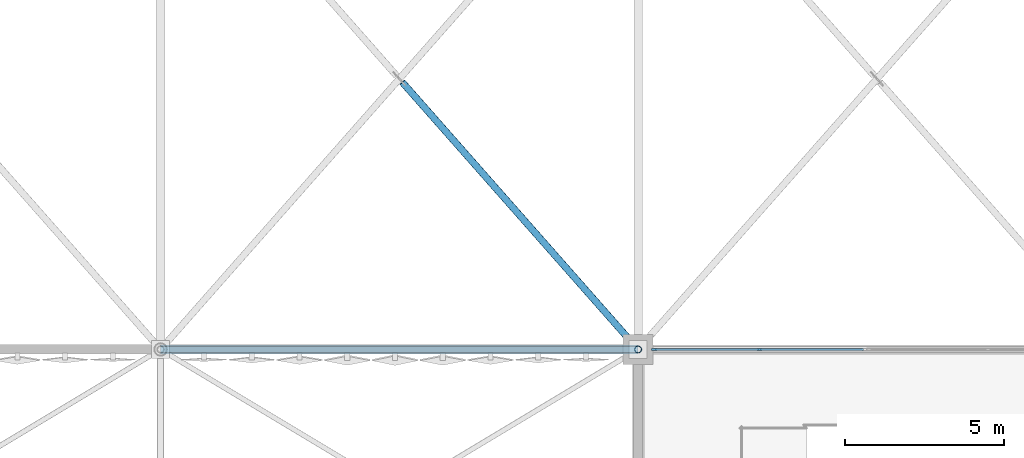
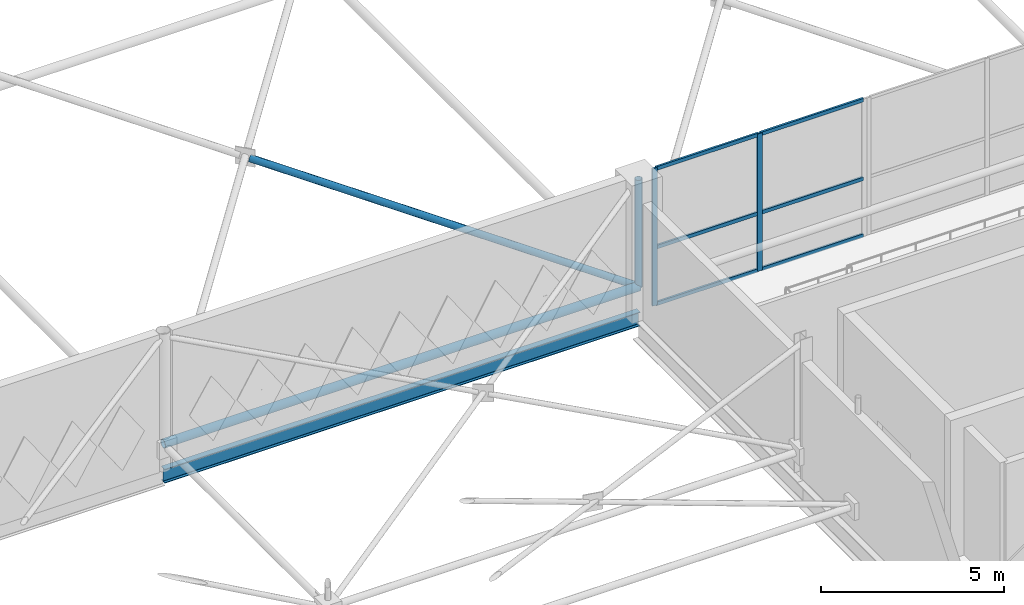
# One storey, part 44 of 224: 11 members, 1 beam, 1 element without a shape of its own.
"""IFC4 building model written with IfcOpenShell, lengths in metres."""

import ifcopenshell
import ifcopenshell.guid

model = None  # the IFC model being written
_history = None  # IfcOwnerHistory: only IFC2X3 demands one
_inside = {}  # id of a spatial element -> (the spatial element, [elements in it])
_under = {}  # id of a project, library or spatial element -> (it, [spatial elements below it])
_declared = {}  # id of a project -> (the project, [libraries it declares])
_typed = {}  # id of a type object -> (the type object, [elements of that type])
_made_of = {}  # id of a material, layer set ... -> (it, [elements and type objects made of it])


def new_model(schema):
    """Start an empty IFC model of exactly this schema.

    Asked for "IFC4X3", IfcOpenShell would pick the latest addendum, in which some entities
    have other attributes; the version numbers below select the first issue.
    IFC2X3 requires an IfcOwnerHistory on every rooted entity: one is made here for all.
    """
    global model, _history
    if schema == "IFC4X3":
        model = ifcopenshell.file(schema_version=(4, 3, 0, 0))
    else:
        model = ifcopenshell.file(schema=schema)
    _inside.clear()
    _under.clear()
    _declared.clear()
    _typed.clear()
    _made_of.clear()
    _history = None
    if model.schema == "IFC2X3":
        org = make("IfcOrganization", Name="unknown")
        user = make(
            "IfcPersonAndOrganization",
            ThePerson=make("IfcPerson", FamilyName="unknown"),
            TheOrganization=org,
        )
        app = make(
            "IfcApplication",
            ApplicationDeveloper=org,
            Version="unknown",
            ApplicationFullName="unknown",
            ApplicationIdentifier="unknown",
        )
        _history = make(
            "IfcOwnerHistory",
            OwningUser=user,
            OwningApplication=app,
            ChangeAction="ADDED",
            CreationDate=0,
        )
    return model


def make(cls, **values):
    """One entity of the class cls with the attributes given. An attribute that is None is left unset."""
    return model.create_entity(
        cls, **{name: value for name, value in values.items() if value is not None}
    )


def rooted(cls, **values):
    """An entity with a GlobalId (a new one), such as an element, a storey or a relation."""
    return make(cls, GlobalId=ifcopenshell.guid.new(), OwnerHistory=_history, **values)


def si_unit(unit_type, name, prefix=None):
    """IfcSIUnit, for example si_unit("LENGTHUNIT", "METRE", prefix="MILLI")."""
    return make("IfcSIUnit", UnitType=unit_type, Prefix=prefix, Name=name)


def assignment(units):
    """IfcUnitAssignment: the units of a project."""
    return None if units is None else make("IfcUnitAssignment", Units=units)


def point(xyz):
    """IfcCartesianPoint."""
    return None if xyz is None else make("IfcCartesianPoint", Coordinates=xyz)


def direction(xyz):
    """IfcDirection."""
    return None if xyz is None else make("IfcDirection", DirectionRatios=xyz)


def frame(location, z_axis=None, x_axis=None):
    """IfcAxis2Placement3D, a coordinate frame: its origin and axes. An axis left out is left unset."""
    return make(
        "IfcAxis2Placement3D",
        Location=point(location),
        Axis=direction(z_axis),
        RefDirection=direction(x_axis),
    )


def frame_2d(location, x_axis=None):
    """IfcAxis2Placement2D, a coordinate frame in the plane: its origin and x axis."""
    return make(
        "IfcAxis2Placement2D", Location=point(location), RefDirection=direction(x_axis)
    )


def origin():
    """The frame at (0, 0, 0) with its axes left unset."""
    return frame((0.0, 0.0, 0.0))


def origin_2d():
    """The frame at (0, 0) in the plane with its x axis left unset."""
    return frame_2d((0.0, 0.0))


def place(relative_to, where):
    """IfcLocalPlacement: puts the frame where relative to a parent placement (None: the world)."""
    return make(
        "IfcLocalPlacement", PlacementRelTo=relative_to, RelativePlacement=where
    )


def context(
    kind, dimensions, precision=None, world=None, true_north=None, identifier=None
):
    """IfcGeometricRepresentationContext, for example the 3D "Model" context."""
    return make(
        "IfcGeometricRepresentationContext",
        ContextIdentifier=identifier,
        ContextType=kind,
        CoordinateSpaceDimension=dimensions,
        Precision=precision,
        WorldCoordinateSystem=world,
        TrueNorth=true_north,
    )


def subcontext(parent, identifier, kind, view, scale=None):
    """IfcGeometricRepresentationSubContext, for example "Body" below "Model"."""
    return make(
        "IfcGeometricRepresentationSubContext",
        ContextIdentifier=identifier,
        ContextType=kind,
        ParentContext=parent,
        TargetScale=scale,
        TargetView=view,
    )


def project(units=None, contexts=None):
    """IfcProject with its units and contexts."""
    return rooted(
        "IfcProject",
        Name="project",
        RepresentationContexts=contexts,
        UnitsInContext=assignment(units),
    )


def spatial(cls, under=None, at=None, **own):
    """A site, building, storey or space (cls), placed at a placement, below another one or the project."""
    s = rooted(cls, ObjectPlacement=at, **own)
    if under is not None:
        _under.setdefault(under.id(), (under, []))[1].append(s)
    return s


def profile(cls, at=None, kind="AREA", **sizes):
    """A parametric profile (cls). Its sizes go by their IFC names, for example OverallWidth=200.0."""
    return make(cls, ProfileType=kind, Position=at, **sizes)


def rectangle(**sizes):
    """IfcRectangleProfileDef."""
    return profile("IfcRectangleProfileDef", **sizes)


def hollow_circle(**sizes):
    """IfcCircleHollowProfileDef."""
    return profile("IfcCircleHollowProfileDef", **sizes)


def i_section(**sizes):
    """IfcIShapeProfileDef."""
    return profile("IfcIShapeProfileDef", **sizes)


def extrude(swept, where, along, depth):
    """IfcExtrudedAreaSolid: the profile swept, set in the frame where, extruded along a direction by depth."""
    return make(
        "IfcExtrudedAreaSolid",
        SweptArea=swept,
        Position=where,
        ExtrudedDirection=direction(along),
        Depth=depth,
    )


def shape(context_of_items, identifier, shape_type, items):
    """IfcShapeRepresentation: the items that make up one representation, for example the "Body"."""
    return make(
        "IfcShapeRepresentation",
        ContextOfItems=context_of_items,
        RepresentationIdentifier=identifier,
        RepresentationType=shape_type,
        Items=items,
    )


def material(Name=None, Category=None):
    """IfcMaterial."""
    return make("IfcMaterial", Name=Name, Category=Category)


def layer(
    of_material, thickness, ventilated=None, Name=None, Category=None, Priority=None
):
    """IfcMaterialLayer: one layer of a wall or slab, of a material (None: an air gap)."""
    return make(
        "IfcMaterialLayer",
        Material=of_material,
        LayerThickness=thickness,
        IsVentilated=ventilated,
        Name=Name,
        Category=Category,
        Priority=Priority,
    )


def layer_set(layers, Name=None):
    """IfcMaterialLayerSet."""
    return make("IfcMaterialLayerSet", MaterialLayers=layers, LayerSetName=Name)


def material_profile(
    of_material, cross_section, Name=None, Category=None, Priority=None
):
    """IfcMaterialProfile: a cross section and its material."""
    return make(
        "IfcMaterialProfile",
        Name=Name,
        Material=of_material,
        Profile=cross_section,
        Priority=Priority,
        Category=Category,
    )


def profile_set(profiles, Name=None, composite=None):
    """IfcMaterialProfileSet."""
    return make(
        "IfcMaterialProfileSet",
        Name=Name,
        MaterialProfiles=profiles,
        CompositeProfile=composite,
    )


def made_of(thing, what):
    """Note that an element or type object is made of a material, layer set ...; save() writes the relation."""
    if what is not None:
        _made_of.setdefault(what.id(), (what, []))[1].append(thing)
    return thing


def type_object(cls, material=None, **own):
    """A type object (cls), such as IfcWallType, which elements share."""
    return made_of(rooted(cls, **own), material)


def element(
    cls,
    number,
    at=None,
    inside=None,
    cuts=None,
    type_object=None,
    material=None,
    context=None,
    identifier="Body",
    shape_type=None,
    held_by="IfcProductDefinitionShape",
    body=None,
    shapes=None,
    **own,
):
    """One element of the class cls, such as IfcWall. Its Tag is "e" and its number.

    at: its placement. inside: the storey or other place that contains it. cuts: it is an
    opening in that element (IfcRelVoidsElement). A single representation is given by context,
    identifier, shape_type and body (its items); several are given by shapes. held_by: the class
    of the entity that holds the representations. save() writes the other relations.
    """
    e = rooted(cls, Tag="e%d" % number, ObjectPlacement=at, **own)
    if body is not None:
        shapes = [shape(context, identifier, shape_type, body)]
    if shapes is not None:
        e.Representation = make(held_by, Representations=shapes)
    if inside is not None:
        _inside.setdefault(inside.id(), (inside, []))[1].append(e)
    if cuts is not None:
        rooted(
            "IfcRelVoidsElement", RelatingBuildingElement=cuts, RelatedOpeningElement=e
        )
    if type_object is not None:
        _typed.setdefault(type_object.id(), (type_object, []))[1].append(e)
    return made_of(e, material)


def aggregate(whole, parts):
    """IfcRelAggregates: a whole, such as a stair, and the parts it consists of."""
    return rooted("IfcRelAggregates", RelatingObject=whole, RelatedObjects=parts)


def save(model, path):
    """Write the relations noted so far, then the file.

    IfcRelAggregates (storeys below a building ...), IfcRelContainedInSpatialStructure (elements
    in a storey), IfcRelDefinesByType, IfcRelAssociatesMaterial and IfcRelDeclares: one each for
    every whole, place, type object, material and project.
    """
    for whole, parts in _under.values():
        aggregate(whole, parts)
    for where, things in _inside.values():
        rooted(
            "IfcRelContainedInSpatialStructure",
            RelatedElements=things,
            RelatingStructure=where,
        )
    for kind, things in _typed.values():
        rooted("IfcRelDefinesByType", RelatedObjects=things, RelatingType=kind)
    for what, things in _made_of.values():
        rooted("IfcRelAssociatesMaterial", RelatedObjects=things, RelatingMaterial=what)
    for by, libraries in _declared.values():
        rooted("IfcRelDeclares", RelatingContext=by, RelatedDefinitions=libraries)
    model.write(path)


model = new_model("IFC4")

# Units and contexts
model_context = context("Model", 3, precision=1e-05, world=origin(), true_north=direction((0.0, 1.0)))
body_context = subcontext(model_context, "Body", "Model", "MODEL_VIEW")
ifc_project = project(units=[si_unit("LENGTHUNIT", "METRE"), si_unit("AREAUNIT", "SQUARE_METRE"), si_unit("VOLUMEUNIT", "CUBIC_METRE"), si_unit("PLANEANGLEUNIT", "RADIAN"), si_unit("MASSUNIT", "GRAM", prefix="KILO")], contexts=[model_context])

# Site, building, storey
site_placement = place(None, origin())
site = spatial("IfcSite", under=ifc_project, at=site_placement, CompositionType="ELEMENT")
building_placement = place(site_placement, origin())
building = spatial("IfcBuilding", under=site, at=building_placement, Name="Qamarlyn Nura Convention Centre", CompositionType="ELEMENT")
storey_placement = place(building_placement, frame((0.0, 0.0, 10.800048828125)))
storey = spatial("IfcBuildingStorey", under=building, at=storey_placement, Name="L02", CompositionType="ELEMENT", Elevation=10.800048828125)

# Beam
ifc_material_1 = material(Name="Steel ASTM A992", Category="steel")
ifc_material_profile_1 = material_profile(ifc_material_1, i_section(OverallWidth=0.193115234375, OverallDepth=0.466064453125, WebThickness=0.011474609375, FlangeThickness=0.01904296875, FilletRadius=0.012939453125, at=origin_2d()), Name="W460X97")
ifc_profile_set_1 = profile_set([ifc_material_profile_1], Name="Steel ASTM A992")
beam_type = type_object("IfcBeamType", Name="BM-SPAN-460", PredefinedType="SPANDREL", material=ifc_profile_set_1)
beam_placement = place(storey_placement, frame((45.0, 18.0, -0.233154296875), z_axis=(1.0, 0.0, 0.0), x_axis=(0.0, 1.0, 0.0)))
element("IfcBeam", 1, at=beam_placement, inside=storey, type_object=beam_type, Name="L02 girder C 4-5", PredefinedType="SPANDREL", context=body_context, shape_type="SweptSolid", body=[
    extrude(i_section(OverallWidth=0.193115234375, OverallDepth=0.466064453125, WebThickness=0.011474609375, FlangeThickness=0.01904296875, FilletRadius=0.012939453125, at=origin_2d()), origin(), (0.0, 0.0, 1.0), 15.0),
])

# Curtain wall, members
ifc_material_2 = material(Name="Double-silver low-E insulated glass", Category="glass")
ifc_layer = layer(ifc_material_2, 0.179931640625, Name="CW-UNIT-17")
ifc_layer_set = layer_set([ifc_layer], Name="Double-silver low-E insulated glass")
curtain_wall_type = type_object("IfcCurtainWallType", Name="CW-UNIT-17", PredefinedType="NOTDEFINED", material=ifc_layer_set)
curtain_wall_placement = place(storey_placement, origin())
curtain_wall = element("IfcCurtainWall", 2, at=curtain_wall_placement, inside=storey, type_object=curtain_wall_type, Name="L02 unitised curtain wall V1-INT-S1-1A", PredefinedType="NOTDEFINED")
ifc_material_3 = material(Name="Champagne-anodised marine aluminium", Category="aluminium")
ifc_material_profile_2 = material_profile(ifc_material_3, rectangle(XDim=0.06494140625, YDim=0.159912109375, at=origin_2d()), Name="ALU MULLION 65x160")
ifc_profile_set_2 = profile_set([ifc_material_profile_2], Name="Champagne-anodised marine aluminium")
member_type_1 = type_object("IfcMemberType", Name="CWM-160", PredefinedType="MULLION", material=ifc_profile_set_2)
member_1_placement = place(storey_placement, frame((60.507568359375, 18.0, 0.0), z_axis=(0.0, 0.0, 1.0), x_axis=(0.0, 1.0, 0.0)))
member_1 = element("IfcMember", 3, at=member_1_placement, type_object=member_type_1, Name="CW17 mullion 1", PredefinedType="MULLION", context=body_context, shape_type="SweptSolid", body=[
    extrude(rectangle(XDim=0.06494140625, YDim=0.159912109375, at=origin_2d()), origin(), (0.0, 0.0, 1.0), 4.579833984375),
])
member_2_placement = place(storey_placement, frame((63.80859375, 18.0, 0.0), z_axis=(0.0, 0.0, 1.0), x_axis=(0.0, 1.0, 0.0)))
member_2 = element("IfcMember", 4, at=member_2_placement, type_object=member_type_1, Name="CW17 mullion 2", PredefinedType="MULLION", context=body_context, shape_type="SweptSolid", body=[
    extrude(rectangle(XDim=0.06494140625, YDim=0.159912109375, at=origin_2d()), origin(), (0.0, 0.0, 1.0), 4.579833984375),
])
ifc_material_profile_3 = material_profile(ifc_material_3, rectangle(XDim=0.06494140625, YDim=0.1201171875, at=origin_2d()), Name="ALU TRANSOM 65x120")
ifc_profile_set_3 = profile_set([ifc_material_profile_3], Name="Champagne-anodised marine aluminium")
member_type_2 = type_object("IfcMemberType", Name="CWT-120", PredefinedType="USERDEFINED", material=ifc_profile_set_3)
member_3_placement = place(storey_placement, frame((60.5400390625, 18.0, 0.032470703125), z_axis=(1.0, 0.0, 0.0), x_axis=(0.0, 1.0, 0.0)))
member_3 = element("IfcMember", 5, at=member_3_placement, type_object=member_type_2, Name="CW17 transom 1.1", ObjectType="TRANSOM", PredefinedType="USERDEFINED", context=body_context, shape_type="SweptSolid", body=[
    extrude(rectangle(XDim=0.06494140625, YDim=0.1201171875, at=origin_2d()), origin(), (0.0, 0.0, 1.0), 3.236083984375),
])
member_4_placement = place(storey_placement, frame((60.5400390625, 18.0, 1.924072265625), z_axis=(1.0, 0.0, 0.0), x_axis=(0.0, 1.0, 0.0)))
member_4 = element("IfcMember", 6, at=member_4_placement, type_object=member_type_2, Name="CW17 transom 1.2", ObjectType="TRANSOM", PredefinedType="USERDEFINED", context=body_context, shape_type="SweptSolid", body=[
    extrude(rectangle(XDim=0.06494140625, YDim=0.1201171875, at=origin_2d()), origin(), (0.0, 0.0, 1.0), 3.236083984375),
])
member_5_placement = place(storey_placement, frame((60.5400390625, 18.0, 4.54736328125), z_axis=(1.0, 0.0, 0.0), x_axis=(0.0, 1.0, 0.0)))
member_5 = element("IfcMember", 7, at=member_5_placement, type_object=member_type_2, Name="CW17 transom 1.3", ObjectType="TRANSOM", PredefinedType="USERDEFINED", context=body_context, shape_type="SweptSolid", body=[
    extrude(rectangle(XDim=0.06494140625, YDim=0.1201171875, at=origin_2d()), origin(), (0.0, 0.0, 1.0), 3.236083984375),
])
member_6_placement = place(storey_placement, frame((63.84130859375, 18.0, 0.032470703125), z_axis=(1.0, 0.0, 0.0), x_axis=(0.0, 1.0, 0.0)))
member_6 = element("IfcMember", 8, at=member_6_placement, type_object=member_type_2, Name="CW17 transom 2.1", ObjectType="TRANSOM", PredefinedType="USERDEFINED", context=body_context, shape_type="SweptSolid", body=[
    extrude(rectangle(XDim=0.06494140625, YDim=0.1201171875, at=origin_2d()), origin(), (0.0, 0.0, 1.0), 3.236083984375),
])
member_7_placement = place(storey_placement, frame((63.84130859375, 18.0, 1.924072265625), z_axis=(1.0, 0.0, 0.0), x_axis=(0.0, 1.0, 0.0)))
member_7 = element("IfcMember", 9, at=member_7_placement, type_object=member_type_2, Name="CW17 transom 2.2", ObjectType="TRANSOM", PredefinedType="USERDEFINED", context=body_context, shape_type="SweptSolid", body=[
    extrude(rectangle(XDim=0.06494140625, YDim=0.1201171875, at=origin_2d()), origin(), (0.0, 0.0, 1.0), 3.236083984375),
])
member_8_placement = place(storey_placement, frame((63.84130859375, 18.0, 4.54736328125), z_axis=(1.0, 0.0, 0.0), x_axis=(0.0, 1.0, 0.0)))
member_8 = element("IfcMember", 10, at=member_8_placement, type_object=member_type_2, Name="CW17 transom 2.3", ObjectType="TRANSOM", PredefinedType="USERDEFINED", context=body_context, shape_type="SweptSolid", body=[
    extrude(rectangle(XDim=0.06494140625, YDim=0.1201171875, at=origin_2d()), origin(), (0.0, 0.0, 1.0), 3.236083984375),
])
aggregate(curtain_wall, [member_1, member_2, member_3, member_4, member_5, member_6, member_7, member_8])

# Members
ifc_material_4 = material(Name="Pearl-white PVDF steel ASTM A500 Grade C", Category="steel")
ifc_material_profile_4 = material_profile(ifc_material_4, hollow_circle(Radius=0.136474609375, WallThickness=0.012451171875, at=origin_2d()), Name="CHS273X12.5")
ifc_profile_set_4 = profile_set([ifc_material_profile_4], Name="Pearl-white PVDF steel ASTM A500 Grade C")
member_type_3 = type_object("IfcMemberType", Name="SF-BC-MAIN", PredefinedType="CHORD", material=ifc_profile_set_4)
member_9_placement = place(storey_placement, frame((45.0, 18.0, 0.800048828125), z_axis=(1.0, 0.0, 0.0), x_axis=(0.0, 1.0, 0.0)))
element("IfcMember", 11, at=member_9_placement, inside=storey, type_object=member_type_3, Name="ROOF TRUSS space frame bottom chord X5-2", PredefinedType="CHORD", context=body_context, shape_type="SweptSolid", body=[
    extrude(hollow_circle(Radius=0.136474609375, WallThickness=0.012451171875, at=origin_2d()), origin(), (0.0, 0.0, 1.0), 15.0),
])
ifc_material_profile_5 = material_profile(ifc_material_4, hollow_circle(Radius=0.109619140625, WallThickness=0.010009765625, at=origin_2d()), Name="CHS219.1X10")
ifc_profile_set_5 = profile_set([ifc_material_profile_5], Name="Pearl-white PVDF steel ASTM A500 Grade C")
member_type_4 = type_object("IfcMemberType", Name="SF-WEB-HVY", PredefinedType="BRACE", material=ifc_profile_set_5)
member_10_placement = place(storey_placement, frame((60.0, 18.0, 0.800048828125), z_axis=(-0.653436826791, 0.740561737029, 0.156807611557), x_axis=(-0.749837855365, -0.661621637087, 0.0)))
element("IfcMember", 12, at=member_10_placement, inside=storey, type_object=member_type_4, Name="ROOF TRUSS space frame split diagonal B1 5-2", PredefinedType="BRACE", context=body_context, shape_type="SweptSolid", body=[
    extrude(hollow_circle(Radius=0.109619140625, WallThickness=0.010009765625, at=origin_2d()), origin(), (0.0, 0.0, 1.0), 11.337646484375),
])
member_11_placement = place(storey_placement, frame((60.0, 18.0, 0.800048828125), z_axis=(0.0, 0.0, 1.0), x_axis=(1.0, 0.0, 0.0)))
element("IfcMember", 13, at=member_11_placement, inside=storey, type_object=member_type_4, Name="ROOF TRUSS space frame vertical 6-2", PredefinedType="BRACE", context=body_context, shape_type="SweptSolid", body=[
    extrude(hollow_circle(Radius=0.109619140625, WallThickness=0.010009765625, at=origin_2d()), origin(), (0.0, 0.0, 1.0), 3.599853515625),
])

save(model, "model.ifc")
